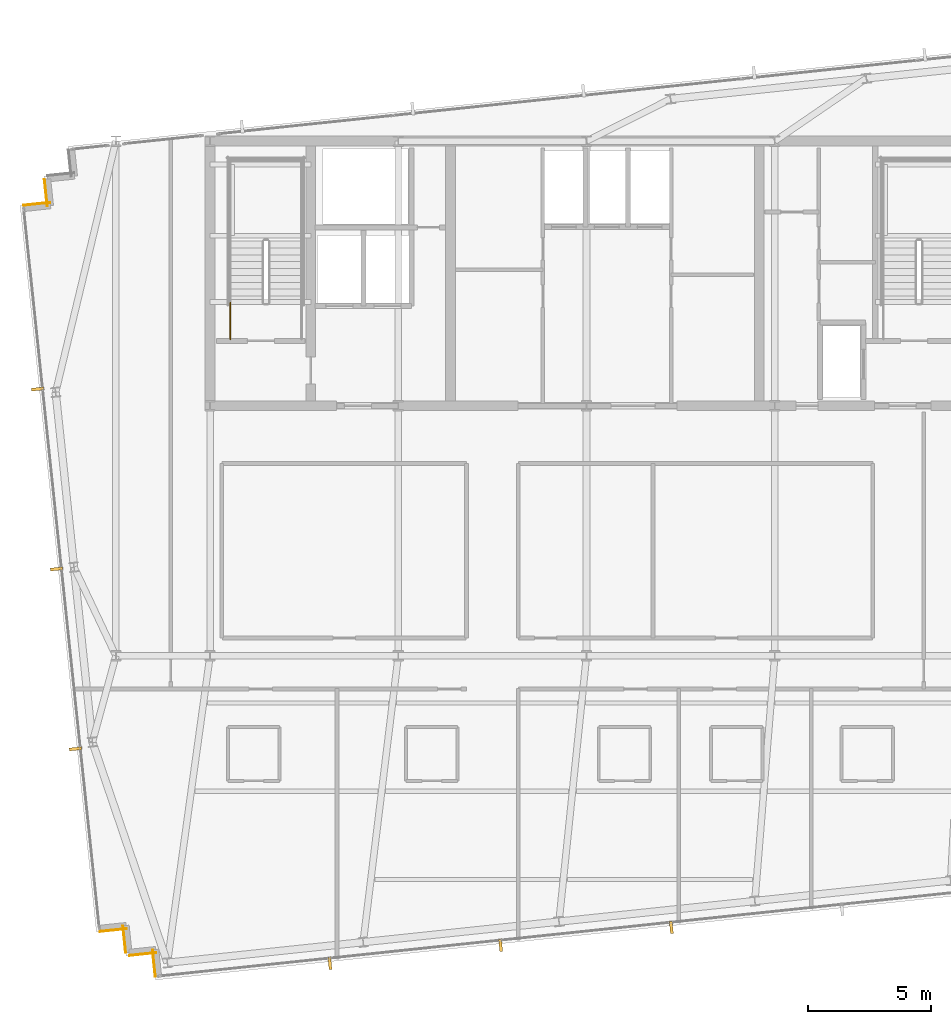
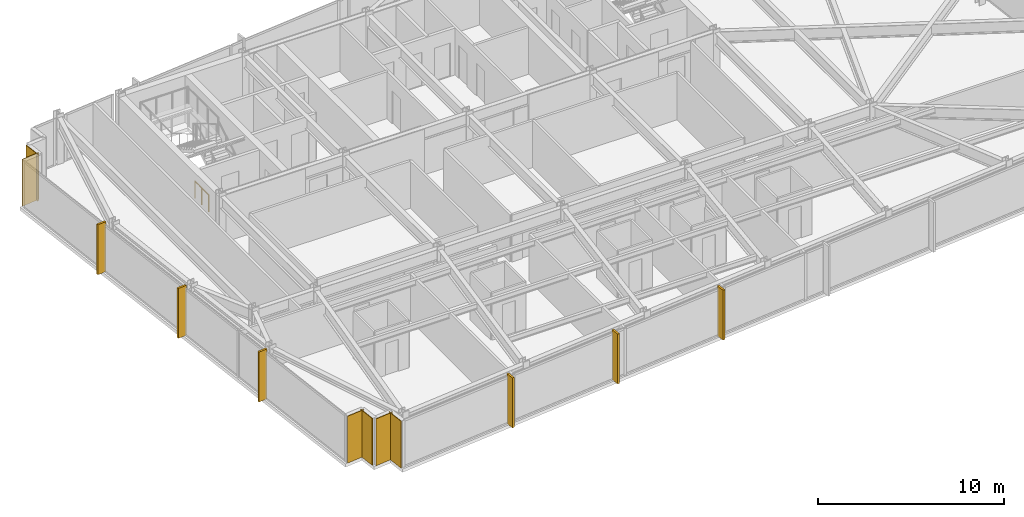
# One storey, part 30 of 33: 6 coverings, 6 shading devices, 1 railing.
"""IFC4 building model written with IfcOpenShell, lengths in metres."""

from ifc_helpers import new_model, si_unit, direction, frame, frame_2d, origin, origin_2d, place, context, subcontext, project, spatial, rectangle, circle, extrude, material, layer, layer_set, type_object, element, save


model = new_model("IFC4")

# Units and contexts
model_context = context("Model", 3, precision=1e-05, world=origin(), true_north=direction((0.0, 1.0)))
body_context = subcontext(model_context, "Body", "Model", "MODEL_VIEW")
ifc_project = project(units=[si_unit("LENGTHUNIT", "METRE"), si_unit("AREAUNIT", "SQUARE_METRE"), si_unit("VOLUMEUNIT", "CUBIC_METRE"), si_unit("PLANEANGLEUNIT", "RADIAN"), si_unit("MASSUNIT", "GRAM", prefix="KILO")], contexts=[model_context])

# Site, building, storey
site_placement = place(None, origin())
site = spatial("IfcSite", under=ifc_project, at=site_placement, CompositionType="ELEMENT")
building_placement = place(site_placement, origin())
building = spatial("IfcBuilding", under=site, at=building_placement, Name="Yelkora Congress Tower", CompositionType="ELEMENT")
storey_placement = place(building_placement, frame((0.0, 0.0, 224.300048828125)))
storey = spatial("IfcBuildingStorey", under=building, at=storey_placement, Name="L62", CompositionType="ELEMENT", Elevation=224.300048828125)

# Coverings
ifc_material_1 = material(Name="Anatolian bush-hammered limestone", Category="masonry")
ifc_layer_1 = layer(ifc_material_1, 0.0400390625)
ifc_layer_set_1 = layer_set([ifc_layer_1], Name="Anatolian bush-hammered limestone")
covering_type = type_object("IfcCoveringType", Name="COV-CLAD-SPANDREL-40", PredefinedType="CLADDING", material=ifc_layer_set_1)
covering_1_placement = place(storey_placement, frame((20.810302734375, 12.114501953125, 0.0), z_axis=(0.0, 0.0, 1.0), x_axis=(-0.104557671117, 0.994518825066, 0.0)))
element("IfcCovering", 1, at=covering_1_placement, inside=storey, type_object=covering_type, Name="L62 Anatolian Limestone Cladding EW-L62-SR01", PredefinedType="CLADDING", context=body_context, shape_type="SweptSolid", body=[
    extrude(rectangle(XDim=1.099853515625, YDim=0.0400390625, at=frame_2d((0.5498046875, 0.0))), origin(), (0.0, 0.0, 1.0), 3.079833984375),
])
for number, where, z_axis, x_axis, name in (
    (2, (20.84375, 13.088134765625, 0.0), (0.0, 0.0, 1.0), (-0.994521251134, -0.104534592565, 0.0), "L62 Anatolian Limestone Cladding EW-L62-SR02"),
    (3, (19.601318359375, 13.09326171875, 0.0), (0.0, 0.0, 1.0), (-0.104534592565, 0.994521251134, 0.0), "L62 Anatolian Limestone Cladding EW-L62-SR03"),
    (4, (19.634765625, 14.067138671875, 0.0), (0.0, 0.0, 1.0), (-0.994521251134, -0.104534592565, 0.0), "L62 Anatolian Limestone Cladding EW-L62-SR04"),
):
    element("IfcCovering", number, at=place(storey_placement, frame(where, z_axis=z_axis, x_axis=x_axis)), inside=storey, type_object=covering_type, Name=name, PredefinedType="CLADDING", context=body_context, shape_type="SweptSolid", body=[
        extrude(rectangle(XDim=1.10009765625, YDim=0.0400390625, at=frame_2d((0.550048828125, 0.0))), origin(), (0.0, 0.0, 1.0), 3.079833984375),
    ])
covering_2_placement = place(storey_placement, frame((15.427001953125, 43.5791015625, 0.0), z_axis=(0.0, 0.0, 1.0), x_axis=(0.994518825066, 0.104557671117, 0.0)))
element("IfcCovering", 5, at=covering_2_placement, inside=storey, type_object=covering_type, Name="L62 Anatolian Limestone Cladding EW-L62-SR06", PredefinedType="CLADDING", context=body_context, shape_type="SweptSolid", body=[
    extrude(rectangle(XDim=1.099853515625, YDim=0.0400390625, at=frame_2d((0.5498046875, 0.0))), origin(), (0.0, 0.0, 1.0), 3.079833984375),
])
covering_3_placement = place(storey_placement, frame((16.400634765625, 43.545654296875, 0.0), z_axis=(0.0, 0.0, 1.0), x_axis=(-0.104315068386, 0.994544300928, 0.0)))
element("IfcCovering", 6, at=covering_3_placement, inside=storey, type_object=covering_type, Name="L62 Anatolian Limestone Cladding EW-L62-SR07", PredefinedType="CLADDING", context=body_context, shape_type="SweptSolid", body=[
    extrude(rectangle(XDim=1.10009765625, YDim=0.0400390625, at=frame_2d((0.550048828125, 0.0))), origin(), (0.0, 0.0, 1.0), 3.079833984375),
])

# Railing
ifc_material_2 = material(Name="Painted galvanised steel stair well guard with vertical infill", Category="steel")
ifc_layer_2 = layer(ifc_material_2, 0.06005859375)
ifc_layer_set_2 = layer_set([ifc_layer_2], Name="Painted galvanised steel stair well guard with vertical infill")
railing_type = type_object("IfcRailingType", Name="RAIL-STAIR-GUARD-1120", PredefinedType="GUARDRAIL", material=ifc_layer_set_2)
railing_placement = place(storey_placement, frame((23.8701171875, 38.1201171875, 0.0)))
element("IfcRailing", 7, at=railing_placement, inside=storey, type_object=railing_type, Name="ST-01 L62 Stair Well Guardrail 9", PredefinedType="GUARDRAIL", context=body_context, shape_type="SweptSolid", body=[
    extrude(circle(Radius=0.02392578125, at=origin_2d()), frame((0.0, 0.0, 1.09619140625), z_axis=(0.0, 1.0, 0.0), x_axis=(-1.0, 0.0, 0.0)), (0.0, 0.0, 1.0), 1.47998046875),
    extrude(circle(Radius=0.02099609375, at=origin_2d()), origin(), (0.0, 0.0, 1.0), 1.072021484375),
    extrude(circle(Radius=0.02099609375, at=origin_2d()), frame((0.0, 0.739990234375, 0.0)), (0.0, 0.0, 1.0), 1.072021484375),
    extrude(circle(Radius=0.02099609375, at=origin_2d()), frame((0.0, 1.47998046875, 0.0)), (0.0, 0.0, 1.0), 1.072021484375),
])

# Shading devices
ifc_material_3 = material(Name="Champagne anodised aluminium", Category="aluminium")
ifc_layer_3 = layer(ifc_material_3, 3.300048828125)
ifc_layer_set_3 = layer_set([ifc_layer_3], Name="Champagne anodised aluminium")
shading_device_type = type_object("IfcShadingDeviceType", Name="SHD-FIN-ALU-520", PredefinedType="USERDEFINED", material=ifc_layer_set_3)
for number, where, z_axis, x_axis, name in (
    (8, (17.556396484375, 21.405029296875, -0.0302734375), (0.0, 0.0, 1.0), (-0.104528463268, 0.994521895368, 0.0), "L62 Vertical Anodised Solar Fin 5-1"),
    (9, (16.784912109375, 28.74462890625, -0.0302734375), (0.0, 0.0, 1.0), (-0.104528463268, 0.994521895368, 0.0), "L62 Vertical Anodised Solar Fin 5-2"),
    (10, (16.013671875, 36.084228515625, -0.0302734375), (0.0, 0.0, 1.0), (-0.104528463268, 0.994521895368, 0.0), "L62 Vertical Anodised Solar Fin 5-3"),
    (11, (41.85888671875, 14.12548828125, -0.0302734375), (0.0, 0.0, 1.0), (-0.994521895368, -0.104528463268, 0.0), "L62 Vertical Anodised Solar Fin 20-4"),
    (12, (34.89453125, 13.3935546875, -0.0302734375), (0.0, 0.0, 1.0), (-0.994521895368, -0.104528463268, 0.0), "L62 Vertical Anodised Solar Fin 20-5"),
    (13, (27.929931640625, 12.66162109375, -0.0302734375), (0.0, 0.0, 1.0), (-0.994521895368, -0.104528463268, 0.0), "L62 Vertical Anodised Solar Fin 20-6"),
):
    element("IfcShadingDevice", number, at=place(storey_placement, frame(where, z_axis=z_axis, x_axis=x_axis)), inside=storey, type_object=shading_device_type, Name=name, ObjectType="FIN", PredefinedType="USERDEFINED", context=body_context, shape_type="SweptSolid", body=[
        extrude(rectangle(XDim=0.1201171875, YDim=0.52001953125, at=origin_2d()), origin(), (0.0, 0.0, 1.0), 3.280029296875),
    ])

save(model, "model.ifc")
